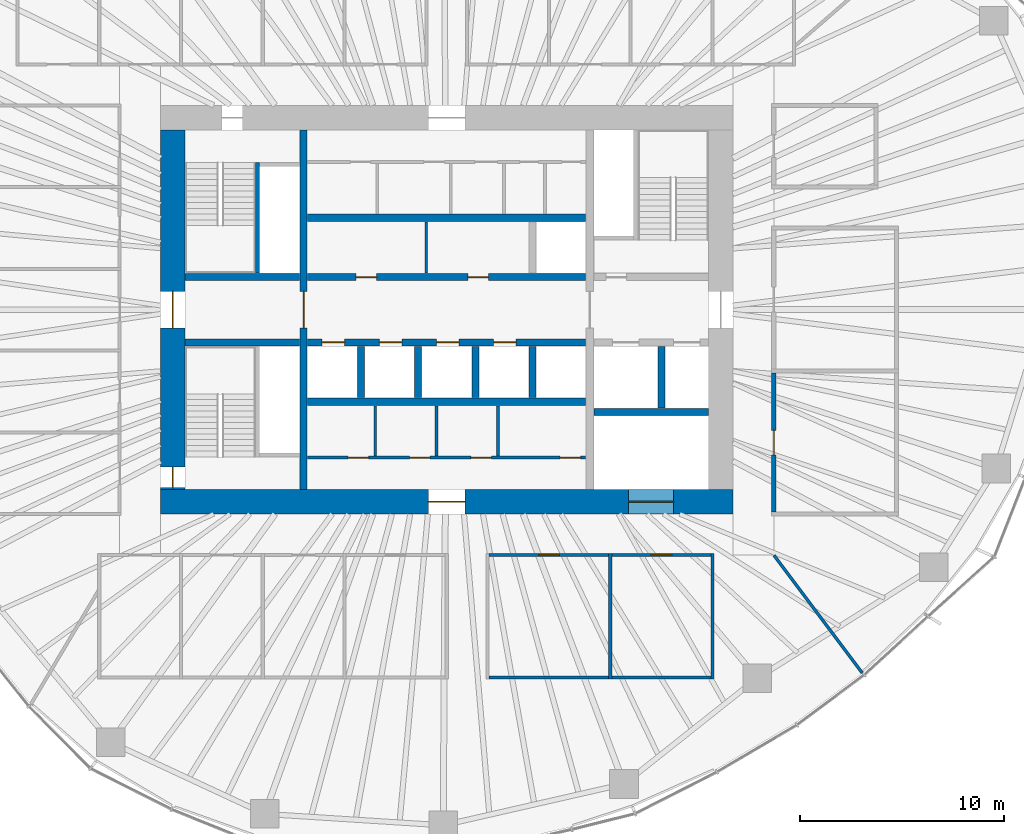
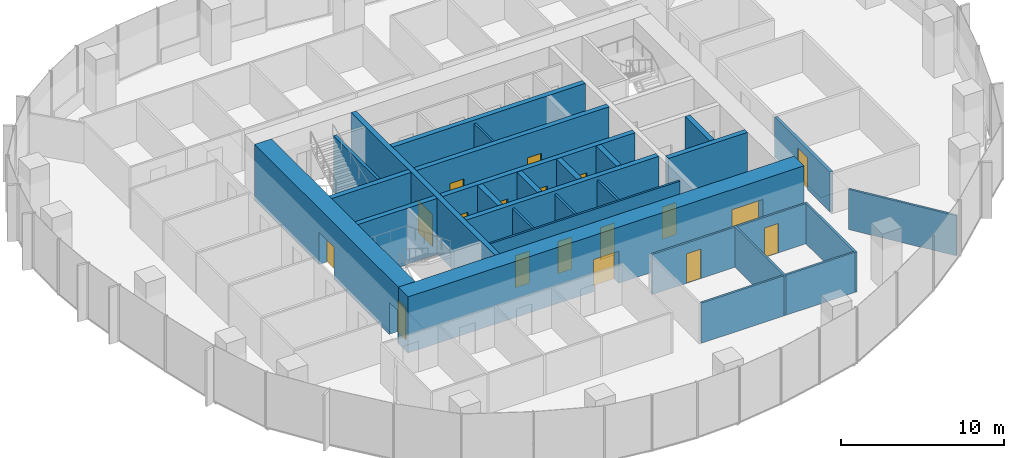
# One storey, part 9 of 18: 29 walls, 18 doors, 18 openings.
"""IFC4 building model written with IfcOpenShell, lengths in metres."""

from ifc_helpers import new_model, si_unit, direction, frame, frame_2d, origin, place, context, subcontext, project, spatial, rectangle, extrude, material, layer, layer_set, type_object, element, fill, save


model = new_model("IFC4")

# Units and contexts
model_context = context("Model", 3, precision=1e-05, world=origin(), true_north=direction((0.0, 1.0)))
body_context = subcontext(model_context, "Body", "Model", "MODEL_VIEW")
ifc_project = project(units=[si_unit("LENGTHUNIT", "METRE"), si_unit("AREAUNIT", "SQUARE_METRE"), si_unit("VOLUMEUNIT", "CUBIC_METRE"), si_unit("PLANEANGLEUNIT", "RADIAN"), si_unit("MASSUNIT", "GRAM", prefix="KILO")], contexts=[model_context])

# Site, building, storey
site_placement = place(None, origin())
site = spatial("IfcSite", under=ifc_project, at=site_placement, CompositionType="ELEMENT")
building_placement = place(site_placement, origin())
building = spatial("IfcBuilding", under=site, at=building_placement, Name="Ghaith Harvest Tower", CompositionType="ELEMENT")
storey_placement = place(building_placement, frame((0.0, 0.0, 172.199951171875)))
storey = spatial("IfcBuildingStorey", under=building, at=storey_placement, Name="L37", CompositionType="ELEMENT", Elevation=172.199951171875)

# Wall, opening, door
ifc_material_1 = material(Name="Twin-stud gypsum board, acoustic", Category="gypsum")
ifc_layer_1 = layer(ifc_material_1, 0.199951171875)
ifc_layer_set_1 = layer_set([ifc_layer_1], Name="ACOUSTIC PARTITION 200")
wall_type_1 = type_object("IfcWallType", Name="ACOUSTIC PARTITION 200", PredefinedType="PARTITIONING", material=ifc_layer_set_1)
wall_1_placement = place(storey_placement, frame((16.0, -9.89990234375, 0.0), z_axis=(0.0, 0.0, 1.0), x_axis=(0.0, 1.0, 0.0)))
wall_1 = element("IfcWall", 1, at=wall_1_placement, inside=storey, type_object=wall_type_1, Name="Partition L37-10", PredefinedType="PARTITIONING", context=body_context, shape_type="SweptSolid", body=[
    extrude(rectangle(XDim=6.7998046875, YDim=0.199951171875, at=frame_2d((3.39990234375, 0.0))), origin(), (0.0, 0.0, 1.0), 3.0),
])
opening_1_placement = place(wall_1_placement, frame((2.800048828125, 0.0, 0.0)))
opening_1 = element("IfcOpeningElement", 2, at=opening_1_placement, cuts=wall_1, Name="Opening 37-037", PredefinedType="OPENING", context=body_context, shape_type="SweptSolid", body=[
    extrude(rectangle(XDim=1.199951171875, YDim=2.39990234375, at=frame_2d((0.60009765625, 1.199951171875))), frame((0.0, 0.10986328125, 0.0), z_axis=(0.0, -1.0, 0.0), x_axis=(1.0, 0.0, 0.0)), (0.0, 0.0, 1.0), 0.219970703125),
])
ifc_material_2 = material(Name="Timber door", Category="wood")
door_type_1 = type_object("IfcDoorType", Name="D11 GLAZED 1200x2400", OperationType="SINGLE_SWING_LEFT", PredefinedType="DOOR", material=ifc_material_2)
door_1_placement = place(opening_1_placement, origin())
door_1 = element("IfcDoor", 3, at=door_1_placement, inside=storey, type_object=door_type_1, Name="Meeting room door", OperationType="SINGLE_SWING_LEFT", OverallHeight=2.39990234375, OverallWidth=1.199951171875, PredefinedType="DOOR", context=body_context, shape_type="SweptSolid", body=[
    extrude(rectangle(XDim=1.199951171875, YDim=2.39990234375, at=frame_2d((0.60009765625, 1.199951171875))), frame((0.0, 0.02490234375, 0.0), z_axis=(0.0, -1.0, 0.0), x_axis=(1.0, 0.0, 0.0)), (0.0, 0.0, 1.0), 0.050048828125),
])
fill(opening_1, door_1)

# Wall, openings, doors
ifc_material_3 = material(Name="Concrete blockwork, fair-faced", Category="masonry")
ifc_layer_2 = layer(ifc_material_3, 0.139892578125)
ifc_layer_set_2 = layer_set([ifc_layer_2], Name="CORE PARTITION 140")
wall_type_2 = type_object("IfcWallType", Name="CORE PARTITION 140", PredefinedType="PARTITIONING", material=ifc_layer_set_2)
wall_2_placement = place(storey_placement, frame((-6.800048828125, -7.22998046875, 0.0), z_axis=(0.0, 0.0, 1.0), x_axis=(1.0, 0.0, 0.0)))
wall_2 = element("IfcWall", 4, at=wall_2_placement, inside=storey, type_object=wall_type_2, Name="Core partition L37", PredefinedType="PARTITIONING", context=body_context, shape_type="SweptSolid", body=[
    extrude(rectangle(XDim=13.60009765625, YDim=0.139892578125, at=frame_2d((6.800048828125, 0.0))), origin(), (0.0, 0.0, 1.0), 3.949951171875),
])
opening_2_placement = place(wall_2_placement, frame((1.97998046875, 0.0, 0.0)))
opening_2 = element("IfcOpeningElement", 5, at=opening_2_placement, cuts=wall_2, Name="Opening 37-013", PredefinedType="OPENING", context=body_context, shape_type="SweptSolid", body=[
    extrude(rectangle(XDim=1.0, YDim=2.39990234375, at=frame_2d((0.5, 1.199951171875))), frame((0.0, 0.080078125, 0.0), z_axis=(0.0, -1.0, 0.0), x_axis=(1.0, 0.0, 0.0)), (0.0, 0.0, 1.0), 0.159912109375),
])
opening_3_placement = place(wall_2_placement, frame((4.97998046875, 0.0, 0.0)))
opening_3 = element("IfcOpeningElement", 6, at=opening_3_placement, cuts=wall_2, Name="Opening 37-014", PredefinedType="OPENING", context=body_context, shape_type="SweptSolid", body=[
    extrude(rectangle(XDim=1.0, YDim=2.39990234375, at=frame_2d((0.5, 1.199951171875))), frame((0.0, 0.080078125, 0.0), z_axis=(0.0, -1.0, 0.0), x_axis=(1.0, 0.0, 0.0)), (0.0, 0.0, 1.0), 0.159912109375),
])
opening_4_placement = place(wall_2_placement, frame((7.97998046875, 0.0, 0.0)))
opening_4 = element("IfcOpeningElement", 7, at=opening_4_placement, cuts=wall_2, Name="Opening 37-015", PredefinedType="OPENING", context=body_context, shape_type="SweptSolid", body=[
    extrude(rectangle(XDim=1.0, YDim=2.39990234375, at=frame_2d((0.5, 1.199951171875))), frame((0.0, 0.080078125, 0.0), z_axis=(0.0, -1.0, 0.0), x_axis=(1.0, 0.0, 0.0)), (0.0, 0.0, 1.0), 0.159912109375),
])
opening_5_placement = place(wall_2_placement, frame((12.35009765625, 0.0, 0.0)))
opening_5 = element("IfcOpeningElement", 8, at=opening_5_placement, cuts=wall_2, Name="Opening 37-016", PredefinedType="OPENING", context=body_context, shape_type="SweptSolid", body=[
    extrude(rectangle(XDim=1.0, YDim=2.39990234375, at=frame_2d((0.5, 1.199951171875))), frame((0.0, 0.080078125, 0.0), z_axis=(0.0, -1.0, 0.0), x_axis=(1.0, 0.0, 0.0)), (0.0, 0.0, 1.0), 0.159912109375),
])
ifc_material_4 = material(Name="Steel fire door", Category="steel")
door_type_2 = type_object("IfcDoorType", Name="D3 FD90 1000x2400", OperationType="SINGLE_SWING_LEFT", PredefinedType="DOOR", material=ifc_material_4)
door_2_placement = place(opening_2_placement, origin())
door_2 = element("IfcDoor", 9, at=door_2_placement, inside=storey, type_object=door_type_2, Name="Electrical room door", OperationType="SINGLE_SWING_LEFT", OverallHeight=2.39990234375, OverallWidth=1.0, PredefinedType="DOOR", context=body_context, shape_type="SweptSolid", body=[
    extrude(rectangle(XDim=1.0, YDim=2.39990234375, at=frame_2d((0.5, 1.199951171875))), frame((0.0, 0.02490234375, 0.0), z_axis=(0.0, -1.0, 0.0), x_axis=(1.0, 0.0, 0.0)), (0.0, 0.0, 1.0), 0.050048828125),
])
fill(opening_2, door_2)
door_3_placement = place(opening_3_placement, origin())
door_3 = element("IfcDoor", 10, at=door_3_placement, inside=storey, type_object=door_type_2, Name="IT equipment room door", OperationType="SINGLE_SWING_LEFT", OverallHeight=2.39990234375, OverallWidth=1.0, PredefinedType="DOOR", context=body_context, shape_type="SweptSolid", body=[
    extrude(rectangle(XDim=1.0, YDim=2.39990234375, at=frame_2d((0.5, 1.199951171875))), frame((0.0, 0.02490234375, 0.0), z_axis=(0.0, -1.0, 0.0), x_axis=(1.0, 0.0, 0.0)), (0.0, 0.0, 1.0), 0.050048828125),
])
fill(opening_3, door_3)
door_4_placement = place(opening_4_placement, origin())
door_4 = element("IfcDoor", 11, at=door_4_placement, inside=storey, type_object=door_type_2, Name="Tea point door", OperationType="SINGLE_SWING_RIGHT", OverallHeight=2.39990234375, OverallWidth=1.0, PredefinedType="DOOR", context=body_context, shape_type="SweptSolid", body=[
    extrude(rectangle(XDim=1.0, YDim=2.39990234375, at=frame_2d((0.5, 1.199951171875))), frame((0.0, 0.02490234375, 0.0), z_axis=(0.0, -1.0, 0.0), x_axis=(1.0, 0.0, 0.0)), (0.0, 0.0, 1.0), 0.050048828125),
])
fill(opening_4, door_4)
door_5_placement = place(opening_5_placement, origin())
door_5 = element("IfcDoor", 12, at=door_5_placement, inside=storey, type_object=door_type_2, Name="Riser room door", OperationType="SINGLE_SWING_RIGHT", OverallHeight=2.39990234375, OverallWidth=1.0, PredefinedType="DOOR", context=body_context, shape_type="SweptSolid", body=[
    extrude(rectangle(XDim=1.0, YDim=2.39990234375, at=frame_2d((0.5, 1.199951171875))), frame((0.0, 0.02490234375, 0.0), z_axis=(0.0, -1.0, 0.0), x_axis=(1.0, 0.0, 0.0)), (0.0, 0.0, 1.0), 0.050048828125),
])
fill(opening_5, door_5)

# Walls
for number, where, z_axis, x_axis, name in (
    (13, (-3.5, -4.699951171875, 0.0), (0.0, 0.0, 1.0), (0.0, -1.0, 0.0), "Core partition L37"),
    (14, (-0.5, -4.699951171875, 0.0), (0.0, 0.0, 1.0), (0.0, -1.0, 0.0), "Core partition L37"),
    (15, (2.5, -4.699951171875, 0.0), (0.0, 0.0, 1.0), (0.0, -1.0, 0.0), "Core partition L37"),
):
    element("IfcWall", number, at=place(storey_placement, frame(where, z_axis=z_axis, x_axis=x_axis)), inside=storey, type_object=wall_type_2, Name=name, PredefinedType="PARTITIONING", context=body_context, shape_type="SweptSolid", body=[
        extrude(rectangle(XDim=2.4599609375, YDim=0.139892578125, at=frame_2d((1.22998046875, 0.0))), origin(), (0.0, 0.0, 1.0), 3.949951171875),
    ])
wall_3_placement = place(storey_placement, frame((-1.0, 1.800048828125, 0.0), z_axis=(0.0, 0.0, 1.0), x_axis=(0.0, 1.0, 0.0)))
element("IfcWall", 16, at=wall_3_placement, inside=storey, type_object=wall_type_2, Name="Core partition L37", PredefinedType="PARTITIONING", context=body_context, shape_type="SweptSolid", body=[
    extrude(rectangle(XDim=2.5, YDim=0.139892578125, at=frame_2d((1.25, 0.0))), origin(), (0.0, 0.0, 1.0), 3.949951171875),
])

# Wall, openings, doors
ifc_material_5 = material(Name="Concrete C60/75", Category="concrete")
ifc_layer_3 = layer(ifc_material_5, 1.199951171875)
ifc_layer_set_3 = layer_set([ifc_layer_3], Name="CORE WALL CW1200 C60")
wall_type_3 = type_object("IfcWallType", Name="CORE WALL CW1200 C60", PredefinedType="SHEAR", material=ifc_layer_set_3)
wall_4_placement = place(storey_placement, frame((-14.0, -9.39990234375, 0.0), z_axis=(0.0, 0.0, 1.0), x_axis=(1.0, 0.0, 0.0)))
wall_4 = element("IfcWall", 17, at=wall_4_placement, inside=storey, type_object=wall_type_3, Name="Core wall S L37", PredefinedType="SHEAR", context=body_context, shape_type="SweptSolid", body=[
    extrude(rectangle(XDim=28.0, YDim=1.199951171875, at=frame_2d((14.0, 0.0))), origin(), (0.0, 0.0, 1.0), 4.199951171875),
])
opening_6_placement = place(wall_4_placement, frame((13.10009765625, 0.0, 0.0)))
opening_6 = element("IfcOpeningElement", 18, at=opening_6_placement, cuts=wall_4, Name="Opening 37-020", PredefinedType="OPENING", context=body_context, shape_type="SweptSolid", body=[
    extrude(rectangle(XDim=1.800048828125, YDim=2.39990234375, at=frame_2d((0.89990234375, 1.199951171875))), frame((0.0, 0.60986328125, 0.0), z_axis=(0.0, -1.0, 0.0), x_axis=(1.0, 0.0, 0.0)), (0.0, 0.0, 1.0), 1.219970703125),
])
opening_7_placement = place(wall_4_placement, frame((22.89990234375, 0.0, 0.0)))
opening_7 = element("IfcOpeningElement", 19, at=opening_7_placement, cuts=wall_4, Name="Opening 37-027", PredefinedType="OPENING", context=body_context, shape_type="SweptSolid", body=[
    extrude(rectangle(XDim=2.199951171875, YDim=2.699951171875, at=frame_2d((1.10009765625, 1.35009765625))), frame((0.0, 0.60986328125, 0.0), z_axis=(0.0, -1.0, 0.0), x_axis=(1.0, 0.0, 0.0)), (0.0, 0.0, 1.0), 1.219970703125),
])
ifc_material_6 = material(Name="Steel fire door", Category="steel")
door_type_3 = type_object("IfcDoorType", Name="D4 FD90 PAIR 1800x2400", OperationType="DOUBLE_DOOR_SINGLE_SWING", PredefinedType="DOOR", material=ifc_material_6)
door_6_placement = place(opening_6_placement, origin())
door_6 = element("IfcDoor", 20, at=door_6_placement, inside=storey, type_object=door_type_3, Name="Core service corridor doors", OperationType="DOUBLE_DOOR_SINGLE_SWING", OverallHeight=2.39990234375, OverallWidth=1.800048828125, PredefinedType="DOOR", context=body_context, shape_type="SweptSolid", body=[
    extrude(rectangle(XDim=1.800048828125, YDim=2.39990234375, at=frame_2d((0.89990234375, 1.199951171875))), frame((0.0, 0.02490234375, 0.0), z_axis=(0.0, -1.0, 0.0), x_axis=(1.0, 0.0, 0.0)), (0.0, 0.0, 1.0), 0.050048828125),
])
fill(opening_6, door_6)
ifc_material_7 = material(Name="Steel fire door", Category="steel")
door_type_4 = type_object("IfcDoorType", Name="LD3 LANDING 2200x2700", OperationType="DOUBLE_DOOR_SLIDING", PredefinedType="DOOR", material=ifc_material_7)
door_7_placement = place(opening_7_placement, origin())
door_7 = element("IfcDoor", 21, at=door_7_placement, inside=storey, type_object=door_type_4, Name="Landing door, goods lift GL1", OperationType="DOUBLE_DOOR_SLIDING", OverallHeight=2.699951171875, OverallWidth=2.199951171875, PredefinedType="DOOR", context=body_context, shape_type="SweptSolid", body=[
    extrude(rectangle(XDim=2.199951171875, YDim=2.699951171875, at=frame_2d((1.10009765625, 1.35009765625))), frame((0.0, 0.02490234375, 0.0), z_axis=(0.0, -1.0, 0.0), x_axis=(1.0, 0.0, 0.0)), (0.0, 0.0, 1.0), 0.050048828125),
])
fill(opening_7, door_7)

wall_5_placement = place(storey_placement, frame((-13.39990234375, 8.800048828125, 0.0), z_axis=(0.0, 0.0, 1.0), x_axis=(0.0, -1.0, 0.0)))
wall_5 = element("IfcWall", 22, at=wall_5_placement, inside=storey, type_object=wall_type_3, Name="Core wall W L37", PredefinedType="SHEAR", context=body_context, shape_type="SweptSolid", body=[
    extrude(rectangle(XDim=17.60009765625, YDim=1.199951171875, at=frame_2d((8.800048828125, 0.0))), origin(), (0.0, 0.0, 1.0), 4.199951171875),
])
opening_8_placement = place(wall_5_placement, frame((7.89990234375, 0.0, 0.0)))
opening_8 = element("IfcOpeningElement", 23, at=opening_8_placement, cuts=wall_5, Name="Opening 37-001", PredefinedType="OPENING", context=body_context, shape_type="SweptSolid", body=[
    extrude(rectangle(XDim=1.800048828125, YDim=2.39990234375, at=frame_2d((0.89990234375, 1.199951171875))), frame((0.0, 0.60986328125, 0.0), z_axis=(0.0, -1.0, 0.0), x_axis=(1.0, 0.0, 0.0)), (0.0, 0.0, 1.0), 1.219970703125),
])
opening_9_placement = place(wall_5_placement, frame((16.5, 0.0, 0.0)))
opening_9 = element("IfcOpeningElement", 24, at=opening_9_placement, cuts=wall_5, Name="Opening 37-006", PredefinedType="OPENING", context=body_context, shape_type="SweptSolid", body=[
    extrude(rectangle(XDim=1.0, YDim=2.39990234375, at=frame_2d((0.5, 1.199951171875))), frame((0.0, 0.60986328125, 0.0), z_axis=(0.0, -1.0, 0.0), x_axis=(1.0, 0.0, 0.0)), (0.0, 0.0, 1.0), 1.219970703125),
])
door_8_placement = place(opening_9_placement, origin())
door_8 = element("IfcDoor", 25, at=door_8_placement, inside=storey, type_object=door_type_2, Name="Stair ST3 door", OperationType="SINGLE_SWING_RIGHT", OverallHeight=2.39990234375, OverallWidth=1.0, PredefinedType="DOOR", context=body_context, shape_type="SweptSolid", body=[
    extrude(rectangle(XDim=1.0, YDim=2.39990234375, at=frame_2d((0.5, 1.199951171875))), frame((0.0, 0.02490234375, 0.0), z_axis=(0.0, -1.0, 0.0), x_axis=(1.0, 0.0, 0.0)), (0.0, 0.0, 1.0), 0.050048828125),
])
fill(opening_9, door_8)
door_9_placement = place(opening_8_placement, origin())
door_9 = element("IfcDoor", 26, at=door_9_placement, inside=storey, type_object=door_type_3, Name="West lobby doors", OperationType="DOUBLE_DOOR_SINGLE_SWING", OverallHeight=2.39990234375, OverallWidth=1.800048828125, PredefinedType="DOOR", context=body_context, shape_type="SweptSolid", body=[
    extrude(rectangle(XDim=1.800048828125, YDim=2.39990234375, at=frame_2d((0.89990234375, 1.199951171875))), frame((0.0, 0.02490234375, 0.0), z_axis=(0.0, -1.0, 0.0), x_axis=(1.0, 0.0, 0.0)), (0.0, 0.0, 1.0), 0.050048828125),
])
fill(opening_8, door_9)

# Walls
ifc_material_8 = material(Name="Gypsum board on steel studs", Category="steel")
ifc_layer_4 = layer(ifc_material_8, 0.14990234375)
ifc_layer_set_4 = layer_set([ifc_layer_4], Name="PARTITION 150")
wall_type_4 = type_object("IfcWallType", Name="PARTITION 150", PredefinedType="PARTITIONING", material=ifc_layer_set_4)
for number, where, z_axis, x_axis, name in (
    (27, (8.0, -11.925048828125, 0.0), (0.0, 0.0, 1.0), (0.0, -1.0, 0.0), "Partition L37 row S5 cross wall 2"),
    (28, (13.0, -11.925048828125, 0.0), (0.0, 0.0, 1.0), (0.0, -1.0, 0.0), "Partition L37 row S5 cross wall 3"),
):
    element("IfcWall", number, at=place(storey_placement, frame(where, z_axis=z_axis, x_axis=x_axis)), inside=storey, type_object=wall_type_4, Name=name, PredefinedType="PARTITIONING", context=body_context, shape_type="SweptSolid", body=[
        extrude(rectangle(XDim=6.14990234375, YDim=0.14990234375, at=frame_2d((3.074951171875, 0.0))), origin(), (0.0, 0.0, 1.0), 3.0),
    ])

# Wall, opening, door
wall_6_placement = place(storey_placement, frame((2.074951171875, -12.0, 0.0), z_axis=(0.0, 0.0, 1.0), x_axis=(1.0, 0.0, 0.0)))
wall_6 = element("IfcWall", 29, at=wall_6_placement, inside=storey, type_object=wall_type_4, Name="Partition L37-16", PredefinedType="PARTITIONING", context=body_context, shape_type="SweptSolid", body=[
    extrude(rectangle(XDim=5.85009765625, YDim=0.14990234375, at=frame_2d((2.925048828125, 0.0))), origin(), (0.0, 0.0, 1.0), 3.0),
])
opening_10_placement = place(wall_6_placement, frame((2.425048828125, 0.0, 0.0)))
opening_10 = element("IfcOpeningElement", 30, at=opening_10_placement, cuts=wall_6, Name="Opening 37-043", PredefinedType="OPENING", context=body_context, shape_type="SweptSolid", body=[
    extrude(rectangle(XDim=1.0, YDim=2.199951171875, at=frame_2d((0.5, 1.10009765625))), frame((0.0, 0.0849609375, 0.0), z_axis=(0.0, -1.0, 0.0), x_axis=(1.0, 0.0, 0.0)), (0.0, 0.0, 1.0), 0.169921875),
])
ifc_material_9 = material(Name="Timber door", Category="wood")
door_type_5 = type_object("IfcDoorType", Name="D1 SINGLE 1000x2200", OperationType="SINGLE_SWING_LEFT", PredefinedType="DOOR", material=ifc_material_9)
door_10_placement = place(opening_10_placement, origin())
door_10 = element("IfcDoor", 31, at=door_10_placement, inside=storey, type_object=door_type_5, Name="Pantry door", OperationType="SINGLE_SWING_LEFT", OverallHeight=2.199951171875, OverallWidth=1.0, PredefinedType="DOOR", context=body_context, shape_type="SweptSolid", body=[
    extrude(rectangle(XDim=1.0, YDim=2.199951171875, at=frame_2d((0.5, 1.10009765625))), frame((0.0, 0.02490234375, 0.0), z_axis=(0.0, -1.0, 0.0), x_axis=(1.0, 0.0, 0.0)), (0.0, 0.0, 1.0), 0.050048828125),
])
fill(opening_10, door_10)

# Wall
wall_7_placement = place(storey_placement, frame((2.074951171875, -18.0, 0.0), z_axis=(0.0, 0.0, 1.0), x_axis=(1.0, 0.0, 0.0)))
element("IfcWall", 32, at=wall_7_placement, inside=storey, type_object=wall_type_4, Name="Partition L37-16", PredefinedType="PARTITIONING", context=body_context, shape_type="SweptSolid", body=[
    extrude(rectangle(XDim=5.85009765625, YDim=0.14990234375, at=frame_2d((2.925048828125, 0.0))), origin(), (0.0, 0.0, 1.0), 3.0),
])

# Wall, opening, door
wall_8_placement = place(storey_placement, frame((8.074951171875, -12.0, 0.0), z_axis=(0.0, 0.0, 1.0), x_axis=(1.0, 0.0, 0.0)))
wall_8 = element("IfcWall", 33, at=wall_8_placement, inside=storey, type_object=wall_type_4, Name="Partition L37-17", PredefinedType="PARTITIONING", context=body_context, shape_type="SweptSolid", body=[
    extrude(rectangle(XDim=4.85009765625, YDim=0.14990234375, at=frame_2d((2.425048828125, 0.0))), origin(), (0.0, 0.0, 1.0), 3.0),
])
opening_11_placement = place(wall_8_placement, frame((1.925048828125, 0.0, 0.0)))
opening_11 = element("IfcOpeningElement", 34, at=opening_11_placement, cuts=wall_8, Name="Opening 37-044", PredefinedType="OPENING", context=body_context, shape_type="SweptSolid", body=[
    extrude(rectangle(XDim=1.0, YDim=2.199951171875, at=frame_2d((0.5, 1.10009765625))), frame((0.0, 0.0849609375, 0.0), z_axis=(0.0, -1.0, 0.0), x_axis=(1.0, 0.0, 0.0)), (0.0, 0.0, 1.0), 0.169921875),
])
door_11_placement = place(opening_11_placement, origin())
door_11 = element("IfcDoor", 35, at=door_11_placement, inside=storey, type_object=door_type_5, Name="Store door", OperationType="SINGLE_SWING_LEFT", OverallHeight=2.199951171875, OverallWidth=1.0, PredefinedType="DOOR", context=body_context, shape_type="SweptSolid", body=[
    extrude(rectangle(XDim=1.0, YDim=2.199951171875, at=frame_2d((0.5, 1.10009765625))), frame((0.0, 0.02490234375, 0.0), z_axis=(0.0, -1.0, 0.0), x_axis=(1.0, 0.0, 0.0)), (0.0, 0.0, 1.0), 0.050048828125),
])
fill(opening_11, door_11)

# Walls
wall_9_placement = place(storey_placement, frame((8.074951171875, -18.0, 0.0), z_axis=(0.0, 0.0, 1.0), x_axis=(1.0, 0.0, 0.0)))
element("IfcWall", 36, at=wall_9_placement, inside=storey, type_object=wall_type_4, Name="Partition L37-17", PredefinedType="PARTITIONING", context=body_context, shape_type="SweptSolid", body=[
    extrude(rectangle(XDim=4.85009765625, YDim=0.14990234375, at=frame_2d((2.425048828125, 0.0))), origin(), (0.0, 0.0, 1.0), 3.0),
])
wall_10_placement = place(storey_placement, frame((16.011962890625, -12.01611328125, 0.0), z_axis=(0.0, 0.0, 1.0), x_axis=(0.600059749679, -0.799955184254, 0.0)))
element("IfcWall", 37, at=wall_10_placement, inside=storey, type_object=wall_type_4, Name="Partition L37 zone division", PredefinedType="PARTITIONING", context=body_context, shape_type="SweptSolid", body=[
    extrude(rectangle(XDim=7.191162109375, YDim=0.14990234375, at=frame_2d((3.595703125, 0.0))), origin(), (0.0, 0.0, 1.0), 3.0),
])

# Wall, opening, door
ifc_material_10 = material(Name="Concrete C60/75", Category="concrete")
ifc_layer_5 = layer(ifc_material_10, 0.35009765625)
ifc_layer_set_5 = layer_set([ifc_layer_5], Name="SHAFT WALL 350")
wall_type_5 = type_object("IfcWallType", Name="SHAFT WALL 350", PredefinedType="SHEAR", material=ifc_layer_set_5)
wall_11_placement = place(storey_placement, frame((-7.0, -8.800048828125, 0.0), z_axis=(0.0, 0.0, 1.0), x_axis=(0.0, 1.0, 0.0)))
wall_11 = element("IfcWall", 38, at=wall_11_placement, inside=storey, type_object=wall_type_5, Name="Shaft wall W7W L37", PredefinedType="SHEAR", context=body_context, shape_type="SweptSolid", body=[
    extrude(rectangle(XDim=17.60009765625, YDim=0.35009765625, at=frame_2d((8.800048828125, 0.0))), origin(), (0.0, 0.0, 1.0), 4.199951171875),
])
opening_12_placement = place(wall_11_placement, frame((7.89990234375, 0.0, 0.0)))
opening_12 = element("IfcOpeningElement", 39, at=opening_12_placement, cuts=wall_11, Name="Opening 37-003", PredefinedType="OPENING", context=body_context, shape_type="SweptSolid", body=[
    extrude(rectangle(XDim=1.800048828125, YDim=2.39990234375, at=frame_2d((0.89990234375, 1.199951171875))), frame((0.0, 0.18505859375, 0.0), z_axis=(0.0, -1.0, 0.0), x_axis=(1.0, 0.0, 0.0)), (0.0, 0.0, 1.0), 0.3701171875),
])
door_12_placement = place(opening_12_placement, origin())
door_12 = element("IfcDoor", 40, at=door_12_placement, inside=storey, type_object=door_type_3, Name="Lift lobby doors, west", OperationType="DOUBLE_DOOR_SINGLE_SWING", OverallHeight=2.39990234375, OverallWidth=1.800048828125, PredefinedType="DOOR", context=body_context, shape_type="SweptSolid", body=[
    extrude(rectangle(XDim=1.800048828125, YDim=2.39990234375, at=frame_2d((0.89990234375, 1.199951171875))), frame((0.0, 0.02490234375, 0.0), z_axis=(0.0, -1.0, 0.0), x_axis=(1.0, 0.0, 0.0)), (0.0, 0.0, 1.0), 0.050048828125),
])
fill(opening_12, door_12)

# Wall, openings, doors
wall_12_placement = place(storey_placement, frame((-6.800048828125, 1.60009765625, 0.0), z_axis=(0.0, 0.0, 1.0), x_axis=(1.0, 0.0, 0.0)))
wall_12 = element("IfcWall", 41, at=wall_12_placement, inside=storey, type_object=wall_type_5, Name="Shaft wall LN L37", PredefinedType="SHEAR", context=body_context, shape_type="SweptSolid", body=[
    extrude(rectangle(XDim=13.60009765625, YDim=0.35009765625, at=frame_2d((6.800048828125, 0.0))), origin(), (0.0, 0.0, 1.0), 4.199951171875),
])
opening_13_placement = place(wall_12_placement, frame((2.364990234375, 0.0, 0.0)))
opening_13 = element("IfcOpeningElement", 42, at=opening_13_placement, cuts=wall_12, Name="Opening 37-017", PredefinedType="OPENING", context=body_context, shape_type="SweptSolid", body=[
    extrude(rectangle(XDim=1.0, YDim=2.39990234375, at=frame_2d((0.5, 1.199951171875))), frame((0.0, 0.18505859375, 0.0), z_axis=(0.0, -1.0, 0.0), x_axis=(1.0, 0.0, 0.0)), (0.0, 0.0, 1.0), 0.3701171875),
])
opening_14_placement = place(wall_12_placement, frame((7.8349609375, 0.0, 0.0)))
opening_14 = element("IfcOpeningElement", 43, at=opening_14_placement, cuts=wall_12, Name="Opening 37-018", PredefinedType="OPENING", context=body_context, shape_type="SweptSolid", body=[
    extrude(rectangle(XDim=1.0, YDim=2.39990234375, at=frame_2d((0.5, 1.199951171875))), frame((0.0, 0.18505859375, 0.0), z_axis=(0.0, -1.0, 0.0), x_axis=(1.0, 0.0, 0.0)), (0.0, 0.0, 1.0), 0.3701171875),
])
door_13_placement = place(opening_13_placement, origin())
door_13 = element("IfcDoor", 44, at=door_13_placement, inside=storey, type_object=door_type_2, Name="Security room door", OperationType="SINGLE_SWING_LEFT", OverallHeight=2.39990234375, OverallWidth=1.0, PredefinedType="DOOR", context=body_context, shape_type="SweptSolid", body=[
    extrude(rectangle(XDim=1.0, YDim=2.39990234375, at=frame_2d((0.5, 1.199951171875))), frame((0.0, 0.02490234375, 0.0), z_axis=(0.0, -1.0, 0.0), x_axis=(1.0, 0.0, 0.0)), (0.0, 0.0, 1.0), 0.050048828125),
])
fill(opening_13, door_13)
door_14_placement = place(opening_14_placement, origin())
door_14 = element("IfcDoor", 45, at=door_14_placement, inside=storey, type_object=door_type_2, Name="IT equipment room door", OperationType="SINGLE_SWING_RIGHT", OverallHeight=2.39990234375, OverallWidth=1.0, PredefinedType="DOOR", context=body_context, shape_type="SweptSolid", body=[
    extrude(rectangle(XDim=1.0, YDim=2.39990234375, at=frame_2d((0.5, 1.199951171875))), frame((0.0, 0.02490234375, 0.0), z_axis=(0.0, -1.0, 0.0), x_axis=(1.0, 0.0, 0.0)), (0.0, 0.0, 1.0), 0.050048828125),
])
fill(opening_14, door_14)

wall_13_placement = place(storey_placement, frame((-6.800048828125, -1.60009765625, 0.0), z_axis=(0.0, 0.0, 1.0), x_axis=(1.0, 0.0, 0.0)))
wall_13 = element("IfcWall", 46, at=wall_13_placement, inside=storey, type_object=wall_type_5, Name="Shaft wall LS L37", PredefinedType="SHEAR", context=body_context, shape_type="SweptSolid", body=[
    extrude(rectangle(XDim=13.60009765625, YDim=0.35009765625, at=frame_2d((6.800048828125, 0.0))), origin(), (0.0, 0.0, 1.0), 4.199951171875),
])
opening_15_placement = place(wall_13_placement, frame((0.699951171875, 0.0, 0.0)))
opening_15 = element("IfcOpeningElement", 47, at=opening_15_placement, cuts=wall_13, Name="Opening 37-021", PredefinedType="OPENING", context=body_context, shape_type="SweptSolid", body=[
    extrude(rectangle(XDim=1.10009765625, YDim=2.39990234375, at=frame_2d((0.550048828125, 1.199951171875))), frame((0.0, 0.18505859375, 0.0), z_axis=(0.0, -1.0, 0.0), x_axis=(1.0, 0.0, 0.0)), (0.0, 0.0, 1.0), 0.3701171875),
])
opening_16_placement = place(wall_13_placement, frame((3.5, 0.0, 0.0)))
opening_16 = element("IfcOpeningElement", 48, at=opening_16_placement, cuts=wall_13, Name="Opening 37-022", PredefinedType="OPENING", context=body_context, shape_type="SweptSolid", body=[
    extrude(rectangle(XDim=1.10009765625, YDim=2.39990234375, at=frame_2d((0.550048828125, 1.199951171875))), frame((0.0, 0.18505859375, 0.0), z_axis=(0.0, -1.0, 0.0), x_axis=(1.0, 0.0, 0.0)), (0.0, 0.0, 1.0), 0.3701171875),
])
opening_17_placement = place(wall_13_placement, frame((6.300048828125, 0.0, 0.0)))
opening_17 = element("IfcOpeningElement", 49, at=opening_17_placement, cuts=wall_13, Name="Opening 37-023", PredefinedType="OPENING", context=body_context, shape_type="SweptSolid", body=[
    extrude(rectangle(XDim=1.10009765625, YDim=2.39990234375, at=frame_2d((0.550048828125, 1.199951171875))), frame((0.0, 0.18505859375, 0.0), z_axis=(0.0, -1.0, 0.0), x_axis=(1.0, 0.0, 0.0)), (0.0, 0.0, 1.0), 0.3701171875),
])
opening_18_placement = place(wall_13_placement, frame((9.10009765625, 0.0, 0.0)))
opening_18 = element("IfcOpeningElement", 50, at=opening_18_placement, cuts=wall_13, Name="Opening 37-024", PredefinedType="OPENING", context=body_context, shape_type="SweptSolid", body=[
    extrude(rectangle(XDim=1.10009765625, YDim=2.39990234375, at=frame_2d((0.550048828125, 1.199951171875))), frame((0.0, 0.18505859375, 0.0), z_axis=(0.0, -1.0, 0.0), x_axis=(1.0, 0.0, 0.0)), (0.0, 0.0, 1.0), 0.3701171875),
])
ifc_material_11 = material(Name="Steel fire door", Category="steel")
door_type_6 = type_object("IfcDoorType", Name="LD1 LANDING 1100x2400", OperationType="DOUBLE_DOOR_SLIDING", PredefinedType="DOOR", material=ifc_material_11)
door_15_placement = place(opening_15_placement, origin())
door_15 = element("IfcDoor", 51, at=door_15_placement, inside=storey, type_object=door_type_6, Name="Landing door, lift LR1", OperationType="DOUBLE_DOOR_SLIDING", OverallHeight=2.39990234375, OverallWidth=1.10009765625, PredefinedType="DOOR", context=body_context, shape_type="SweptSolid", body=[
    extrude(rectangle(XDim=1.10009765625, YDim=2.39990234375, at=frame_2d((0.550048828125, 1.199951171875))), frame((0.0, 0.02490234375, 0.0), z_axis=(0.0, -1.0, 0.0), x_axis=(1.0, 0.0, 0.0)), (0.0, 0.0, 1.0), 0.050048828125),
])
fill(opening_15, door_15)
door_16_placement = place(opening_16_placement, origin())
door_16 = element("IfcDoor", 52, at=door_16_placement, inside=storey, type_object=door_type_6, Name="Landing door, lift LR2", OperationType="DOUBLE_DOOR_SLIDING", OverallHeight=2.39990234375, OverallWidth=1.10009765625, PredefinedType="DOOR", context=body_context, shape_type="SweptSolid", body=[
    extrude(rectangle(XDim=1.10009765625, YDim=2.39990234375, at=frame_2d((0.550048828125, 1.199951171875))), frame((0.0, 0.02490234375, 0.0), z_axis=(0.0, -1.0, 0.0), x_axis=(1.0, 0.0, 0.0)), (0.0, 0.0, 1.0), 0.050048828125),
])
fill(opening_16, door_16)
door_17_placement = place(opening_17_placement, origin())
door_17 = element("IfcDoor", 53, at=door_17_placement, inside=storey, type_object=door_type_6, Name="Landing door, lift LR3", OperationType="DOUBLE_DOOR_SLIDING", OverallHeight=2.39990234375, OverallWidth=1.10009765625, PredefinedType="DOOR", context=body_context, shape_type="SweptSolid", body=[
    extrude(rectangle(XDim=1.10009765625, YDim=2.39990234375, at=frame_2d((0.550048828125, 1.199951171875))), frame((0.0, 0.02490234375, 0.0), z_axis=(0.0, -1.0, 0.0), x_axis=(1.0, 0.0, 0.0)), (0.0, 0.0, 1.0), 0.050048828125),
])
fill(opening_17, door_17)
door_18_placement = place(opening_18_placement, origin())
door_18 = element("IfcDoor", 54, at=door_18_placement, inside=storey, type_object=door_type_6, Name="Landing door, lift LR4", OperationType="DOUBLE_DOOR_SLIDING", OverallHeight=2.39990234375, OverallWidth=1.10009765625, PredefinedType="DOOR", context=body_context, shape_type="SweptSolid", body=[
    extrude(rectangle(XDim=1.10009765625, YDim=2.39990234375, at=frame_2d((0.550048828125, 1.199951171875))), frame((0.0, 0.02490234375, 0.0), z_axis=(0.0, -1.0, 0.0), x_axis=(1.0, 0.0, 0.0)), (0.0, 0.0, 1.0), 0.050048828125),
])
fill(opening_18, door_18)

# Walls
for number, where, z_axis, x_axis, name in (
    (55, (-6.800048828125, 4.5, 0.0), (0.0, 0.0, 1.0), (1.0, 0.0, 0.0), "Shaft wall BN L37"),
    (56, (-6.800048828125, -4.5, 0.0), (0.0, 0.0, 1.0), (1.0, 0.0, 0.0), "Shaft wall BS L37"),
):
    element("IfcWall", number, at=place(storey_placement, frame(where, z_axis=z_axis, x_axis=x_axis)), inside=storey, type_object=wall_type_5, Name=name, PredefinedType="SHEAR", context=body_context, shape_type="SweptSolid", body=[
        extrude(rectangle(XDim=13.60009765625, YDim=0.35009765625, at=frame_2d((6.800048828125, 0.0))), origin(), (0.0, 0.0, 1.0), 4.199951171875),
    ])
for number, where, z_axis, x_axis, name in (
    (57, (-12.800048828125, 1.60009765625, 0.0), (0.0, 0.0, 1.0), (1.0, 0.0, 0.0), "Shaft wall WN L37"),
    (58, (-12.800048828125, -1.60009765625, 0.0), (0.0, 0.0, 1.0), (1.0, 0.0, 0.0), "Shaft wall WS L37"),
):
    element("IfcWall", number, at=place(storey_placement, frame(where, z_axis=z_axis, x_axis=x_axis)), inside=storey, type_object=wall_type_5, Name=name, PredefinedType="SHEAR", context=body_context, shape_type="SweptSolid", body=[
        extrude(rectangle(XDim=5.60009765625, YDim=0.35009765625, at=frame_2d((2.800048828125, 0.0))), origin(), (0.0, 0.0, 1.0), 4.199951171875),
    ])
wall_14_placement = place(storey_placement, frame((10.5, -4.800048828125, 0.0), z_axis=(0.0, 0.0, 1.0), x_axis=(0.0, 1.0, 0.0)))
element("IfcWall", 59, at=wall_14_placement, inside=storey, type_object=wall_type_5, Name="Shaft wall FLD L37", PredefinedType="SHEAR", context=body_context, shape_type="SweptSolid", body=[
    extrude(rectangle(XDim=3.0, YDim=0.35009765625, at=frame_2d((1.5, 0.0))), origin(), (0.0, 0.0, 1.0), 4.199951171875),
])
wall_15_placement = place(storey_placement, frame((7.199951171875, -5.0, 0.0), z_axis=(0.0, 0.0, 1.0), x_axis=(1.0, 0.0, 0.0)))
element("IfcWall", 60, at=wall_15_placement, inside=storey, type_object=wall_type_5, Name="Shaft wall FLB L37", PredefinedType="SHEAR", context=body_context, shape_type="SweptSolid", body=[
    extrude(rectangle(XDim=5.60009765625, YDim=0.35009765625, at=frame_2d((2.800048828125, 0.0))), origin(), (0.0, 0.0, 1.0), 4.199951171875),
])
for number, where, z_axis, x_axis, name in (
    (61, (-4.199951171875, -4.300048828125, 0.0), (0.0, 0.0, 1.0), (0.0, 1.0, 0.0), "Shaft wall DS1 L37"),
    (62, (-1.39990234375, -4.300048828125, 0.0), (0.0, 0.0, 1.0), (0.0, 1.0, 0.0), "Shaft wall DS2 L37"),
    (63, (1.39990234375, -4.300048828125, 0.0), (0.0, 0.0, 1.0), (0.0, 1.0, 0.0), "Shaft wall DS3 L37"),
    (64, (4.199951171875, -4.300048828125, 0.0), (0.0, 0.0, 1.0), (0.0, 1.0, 0.0), "Shaft wall DS4 L37"),
):
    element("IfcWall", number, at=place(storey_placement, frame(where, z_axis=z_axis, x_axis=x_axis)), inside=storey, type_object=wall_type_5, Name=name, PredefinedType="SHEAR", context=body_context, shape_type="SweptSolid", body=[
        extrude(rectangle(XDim=2.5, YDim=0.35009765625, at=frame_2d((1.25, 0.0))), origin(), (0.0, 0.0, 1.0), 4.199951171875),
    ])
ifc_material_12 = material(Name="Concrete C40/50", Category="concrete")
ifc_layer_6 = layer(ifc_material_12, 0.199951171875)
ifc_layer_set_6 = layer_set([ifc_layer_6], Name="STAIR SPINE WALL RC200")
wall_type_6 = type_object("IfcWallType", Name="STAIR SPINE WALL RC200", PredefinedType="SOLIDWALL", material=ifc_layer_set_6)
wall_16_placement = place(storey_placement, frame((-9.25, 7.199951171875, 0.0), z_axis=(0.0, 0.0, 1.0), x_axis=(0.0, -1.0, 0.0)))
element("IfcWall", 65, at=wall_16_placement, inside=storey, type_object=wall_type_6, Name="Stair ST1 spine wall L37", PredefinedType="SOLIDWALL", context=body_context, shape_type="SweptSolid", body=[
    extrude(rectangle(XDim=5.39990234375, YDim=0.199951171875, at=frame_2d((2.699951171875, 0.0))), origin(), (0.0, 0.0, 1.0), 4.199951171875),
])

save(model, "model.ifc")
